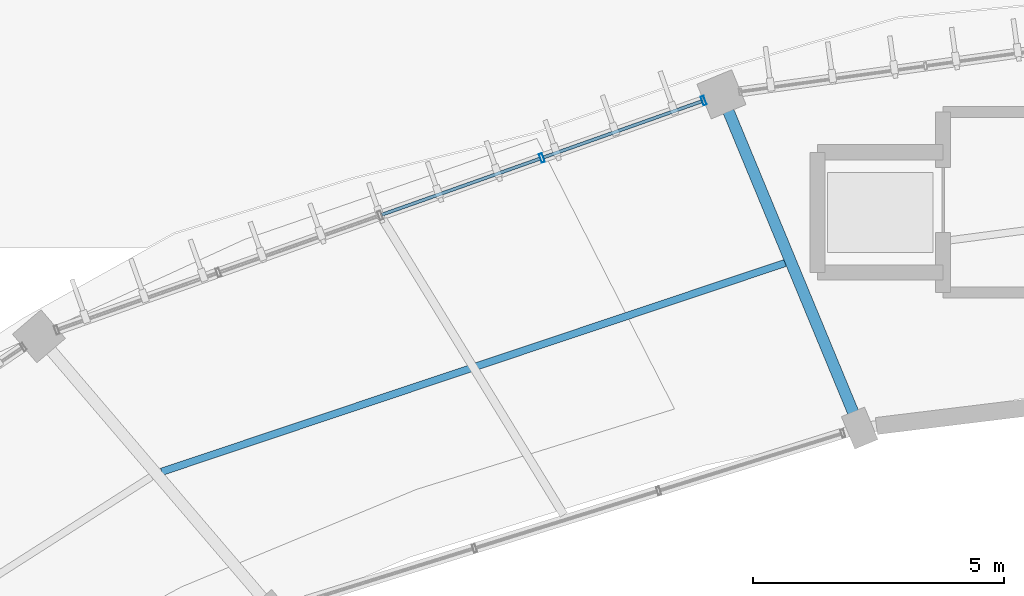
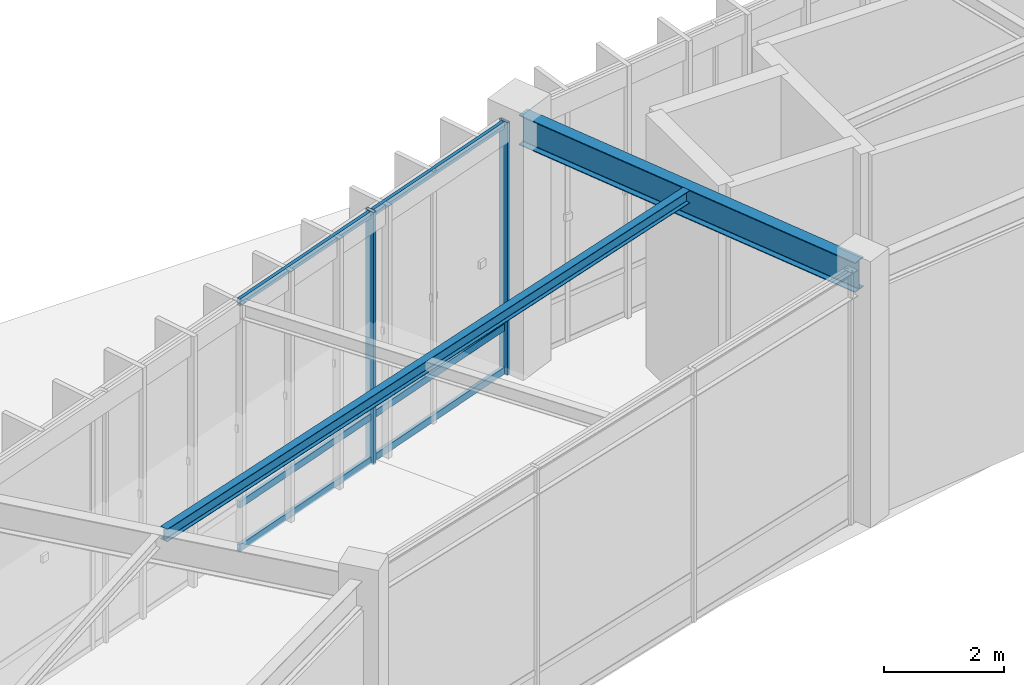
# One storey, part 68 of 157: 8 members, 2 beams, 1 element without a shape of its own.
"""IFC4 building model written with IfcOpenShell, lengths in metres."""

from ifc_helpers import new_model, si_unit, direction, frame, origin, origin_2d, place, context, subcontext, project, spatial, hollow_rectangle, i_section, extrude, material, material_profile, profile_set, type_object, element, aggregate, save


model = new_model("IFC4")

# Units and contexts
model_context = context("Model", 3, precision=1e-05, world=origin(), true_north=direction((0.0, 1.0)))
body_context = subcontext(model_context, "Body", "Model", "MODEL_VIEW")
ifc_project = project(units=[si_unit("LENGTHUNIT", "METRE"), si_unit("AREAUNIT", "SQUARE_METRE"), si_unit("VOLUMEUNIT", "CUBIC_METRE"), si_unit("PLANEANGLEUNIT", "RADIAN"), si_unit("MASSUNIT", "GRAM", prefix="KILO"), si_unit("THERMODYNAMICTEMPERATUREUNIT", "KELVIN"), si_unit("POWERUNIT", "WATT")], contexts=[model_context])

# Site, building, storey
site_placement = place(None, origin())
site = spatial("IfcSite", under=ifc_project, at=site_placement, CompositionType="ELEMENT")
building_placement = place(site_placement, origin())
building = spatial("IfcBuilding", under=site, at=building_placement, Name="Darbajah Civic Hall", CompositionType="ELEMENT")
storey_placement = place(building_placement, origin())
storey = spatial("IfcBuildingStorey", under=building, at=storey_placement, Name="L00", CompositionType="ELEMENT", Elevation=0.0)

# Curtain wall, members
ifc_material_1 = material(Name="Anodised Bronze Aluminium and Low-E Glazing", Category="aluminium")
curtain_wall_type = type_object("IfcCurtainWallType", Name="Unitised Curtain Wall CW-06 13700x5100", PredefinedType="USERDEFINED", material=ifc_material_1)
curtain_wall_placement = place(storey_placement, origin())
curtain_wall = element("IfcCurtainWall", 1, at=curtain_wall_placement, inside=storey, type_object=curtain_wall_type, Name="L00 unitised curtain wall CW-V1O-L00-06", ObjectType="UNITISED CURTAIN WALL", PredefinedType="USERDEFINED")
ifc_material_2 = material(Name="Anodised Bronze Aluminium", Category="aluminium")
ifc_material_profile_1 = material_profile(ifc_material_2, hollow_rectangle(XDim=0.06494140625, YDim=0.179931640625, WallThickness=0.00390625, at=origin_2d()), Name="ALU MULLION 65x180")
ifc_profile_set_1 = profile_set([ifc_material_profile_1], Name="Anodised Bronze Aluminium")
member_type_1 = type_object("IfcMemberType", Name="ALU MULLION 65x180", PredefinedType="MULLION", material=ifc_profile_set_1)
member_1_placement = place(storey_placement, frame((69.227783203125, 116.928466796875, 0.0), z_axis=(0.0, 0.0, 1.0), x_axis=(-0.94252491309, -0.334135882844, 0.0)))
member_1 = element("IfcMember", 2, at=member_1_placement, type_object=member_type_1, Name="CW-V1O-L00-06 mullion 1", PredefinedType="MULLION", context=body_context, shape_type="SweptSolid", body=[
    extrude(hollow_rectangle(XDim=0.06494140625, YDim=0.179931640625, WallThickness=0.00390625, at=origin_2d()), origin(), (0.0, 0.0, 1.0), 5.1201171875),
])
member_2_placement = place(storey_placement, frame((66.004150390625, 115.785888671875, 0.0), z_axis=(0.0, 0.0, 1.0), x_axis=(-0.94252491309, -0.334135882844, 0.0)))
member_2 = element("IfcMember", 3, at=member_2_placement, type_object=member_type_1, Name="CW-V1O-L00-06 mullion 2", PredefinedType="MULLION", context=body_context, shape_type="SweptSolid", body=[
    extrude(hollow_rectangle(XDim=0.06494140625, YDim=0.179931640625, WallThickness=0.00390625, at=origin_2d()), origin(), (0.0, 0.0, 1.0), 5.1201171875),
])
ifc_material_profile_2 = material_profile(ifc_material_2, hollow_rectangle(XDim=0.06494140625, YDim=0.139892578125, WallThickness=0.00341796875, at=origin_2d()), Name="ALU TRANSOM 65x140")
ifc_profile_set_2 = profile_set([ifc_material_profile_2], Name="Anodised Bronze Aluminium")
member_type_2 = type_object("IfcMemberType", Name="ALU TRANSOM 65x140", PredefinedType="USERDEFINED", material=ifc_profile_set_2)
member_3_placement = place(storey_placement, frame((69.1923828125, 116.916015625, 0.070068359375), z_axis=(-0.942528613477, -0.334125444672, 0.0), x_axis=(0.334125444672, -0.942528613477, 0.0)))
member_3 = element("IfcMember", 4, at=member_3_placement, type_object=member_type_2, Name="CW-V1O-L00-06 transom 1.1", ObjectType="TRANSOM", PredefinedType="USERDEFINED", context=body_context, shape_type="SweptSolid", body=[
    extrude(hollow_rectangle(XDim=0.06494140625, YDim=0.139892578125, WallThickness=0.00341796875, at=origin_2d()), origin(), (0.0, 0.0, 1.0), 3.344970703125),
])
member_4_placement = place(storey_placement, frame((69.1923828125, 116.916015625, 0.949951171875), z_axis=(-0.942528613477, -0.334125444672, 0.0), x_axis=(0.334125444672, -0.942528613477, 0.0)))
member_4 = element("IfcMember", 5, at=member_4_placement, type_object=member_type_2, Name="CW-V1O-L00-06 transom 1.2", ObjectType="TRANSOM", PredefinedType="USERDEFINED", context=body_context, shape_type="SweptSolid", body=[
    extrude(hollow_rectangle(XDim=0.06494140625, YDim=0.139892578125, WallThickness=0.00341796875, at=origin_2d()), origin(), (0.0, 0.0, 1.0), 3.344970703125),
])
member_5_placement = place(storey_placement, frame((69.1923828125, 116.916015625, 5.050048828125), z_axis=(-0.942528613477, -0.334125444672, 0.0), x_axis=(0.334125444672, -0.942528613477, 0.0)))
member_5 = element("IfcMember", 6, at=member_5_placement, type_object=member_type_2, Name="CW-V1O-L00-06 transom 1.3", ObjectType="TRANSOM", PredefinedType="USERDEFINED", context=body_context, shape_type="SweptSolid", body=[
    extrude(hollow_rectangle(XDim=0.06494140625, YDim=0.139892578125, WallThickness=0.00341796875, at=origin_2d()), origin(), (0.0, 0.0, 1.0), 3.344970703125),
])
member_6_placement = place(storey_placement, frame((65.968994140625, 115.773193359375, 0.070068359375), z_axis=(-0.942559740686, -0.334037625483, 0.0), x_axis=(0.334037625483, -0.942559740686, 0.0)))
member_6 = element("IfcMember", 7, at=member_6_placement, type_object=member_type_2, Name="CW-V1O-L00-06 transom 2.1", ObjectType="TRANSOM", PredefinedType="USERDEFINED", context=body_context, shape_type="SweptSolid", body=[
    extrude(hollow_rectangle(XDim=0.06494140625, YDim=0.139892578125, WallThickness=0.00341796875, at=origin_2d()), origin(), (0.0, 0.0, 1.0), 3.34521484375),
])
member_7_placement = place(storey_placement, frame((65.968994140625, 115.773193359375, 0.949951171875), z_axis=(-0.942559740686, -0.334037625483, 0.0), x_axis=(0.334037625483, -0.942559740686, 0.0)))
member_7 = element("IfcMember", 8, at=member_7_placement, type_object=member_type_2, Name="CW-V1O-L00-06 transom 2.2", ObjectType="TRANSOM", PredefinedType="USERDEFINED", context=body_context, shape_type="SweptSolid", body=[
    extrude(hollow_rectangle(XDim=0.06494140625, YDim=0.139892578125, WallThickness=0.00341796875, at=origin_2d()), origin(), (0.0, 0.0, 1.0), 3.34521484375),
])
member_8_placement = place(storey_placement, frame((65.968994140625, 115.773193359375, 5.050048828125), z_axis=(-0.942559740686, -0.334037625483, 0.0), x_axis=(0.334037625483, -0.942559740686, 0.0)))
member_8 = element("IfcMember", 9, at=member_8_placement, type_object=member_type_2, Name="CW-V1O-L00-06 transom 2.3", ObjectType="TRANSOM", PredefinedType="USERDEFINED", context=body_context, shape_type="SweptSolid", body=[
    extrude(hollow_rectangle(XDim=0.06494140625, YDim=0.139892578125, WallThickness=0.00341796875, at=origin_2d()), origin(), (0.0, 0.0, 1.0), 3.34521484375),
])
aggregate(curtain_wall, [member_1, member_2, member_3, member_4, member_5, member_6, member_7, member_8])

# Beams
ifc_material_3 = material(Name="Steel S355JR", Category="steel")
ifc_material_profile_3 = material_profile(ifc_material_3, i_section(OverallWidth=0.146484375, OverallDepth=0.256103515625, WebThickness=0.00634765625, FlangeThickness=0.010986328125, FilletRadius=0.007568359375, at=origin_2d()), Name="UB 254x146x37")
ifc_profile_set_3 = profile_set([ifc_material_profile_3], Name="Steel S355JR")
beam_type_1 = type_object("IfcBeamType", Name="UB 254x146x37", PredefinedType="JOIST", material=ifc_profile_set_3)
beam_1_placement = place(storey_placement, frame((70.850830078125, 113.691650390625, 4.991943359375), z_axis=(-0.948257615403, -0.317501960357, 0.0), x_axis=(0.317501960357, -0.948257615403, 0.0)))
element("IfcBeam", 10, at=beam_1_placement, inside=storey, type_object=beam_type_1, Name="L00 beam SJ-254", PredefinedType="JOIST", context=body_context, shape_type="SweptSolid", body=[
    extrude(i_section(OverallWidth=0.146484375, OverallDepth=0.256103515625, WebThickness=0.00634765625, FlangeThickness=0.010986328125, FilletRadius=0.007568359375, at=origin_2d()), origin(), (0.0, 0.0, 1.0), 13.102783203125),
])
ifc_material_profile_4 = material_profile(ifc_material_3, i_section(OverallWidth=0.228271484375, OverallDepth=0.607666015625, WebThickness=0.010986328125, FlangeThickness=0.017333984375, FilletRadius=0.0126953125, at=origin_2d()), Name="UB 610x229x113")
ifc_profile_set_4 = profile_set([ifc_material_profile_4], Name="Steel S355JR")
beam_type_2 = type_object("IfcBeamType", Name="UB 610x229x113", PredefinedType="BEAM", material=ifc_profile_set_4)
beam_2_placement = place(storey_placement, frame((72.307861328125, 110.476318359375, 4.816162109375), z_axis=(-0.382681552297, 0.923880311259, 0.0), x_axis=(-0.923880311259, -0.382681552297, 0.0)))
element("IfcBeam", 11, at=beam_2_placement, inside=storey, type_object=beam_type_2, Name="L00 beam SB-610", PredefinedType="BEAM", context=body_context, shape_type="SweptSolid", body=[
    extrude(i_section(OverallWidth=0.228271484375, OverallDepth=0.607666015625, WebThickness=0.010986328125, FlangeThickness=0.017333984375, FilletRadius=0.0126953125, at=origin_2d()), origin(), (0.0, 0.0, 1.0), 7.0400390625),
])

save(model, "model.ifc")
